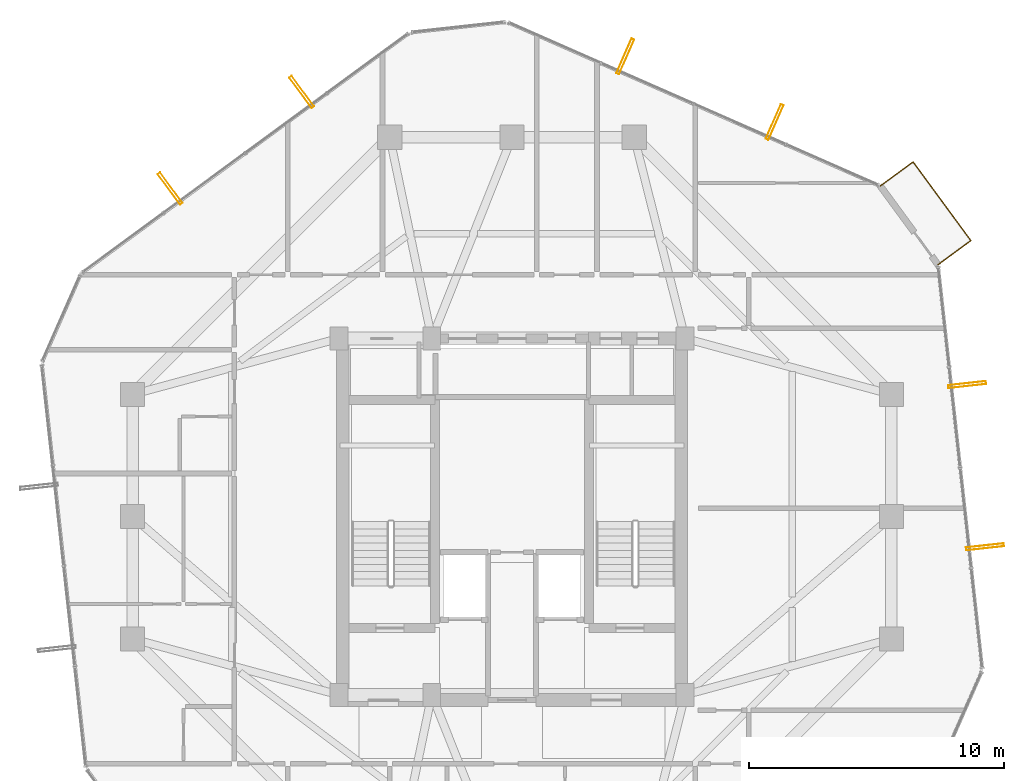
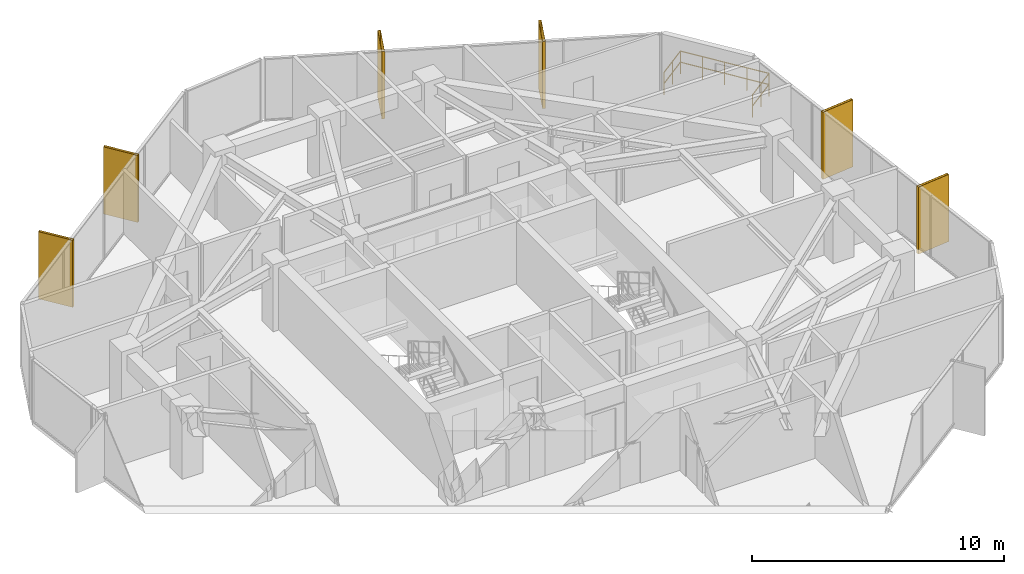
# One storey, part 32 of 32: 6 shading devices, 1 railing.
"""IFC4 building model written with IfcOpenShell, lengths in metres."""

from ifc_helpers import new_model, si_unit, direction, frame, origin, origin_2d, place, context, subcontext, project, spatial, hollow_rectangle, circle, extrude, material, material_profile, profile_set, type_object, element, save


model = new_model("IFC4")

# Units and contexts
model_context = context("Model", 3, precision=1e-05, world=origin(), true_north=direction((0.0, 1.0)))
body_context = subcontext(model_context, "Body", "Model", "MODEL_VIEW")
ifc_project = project(units=[si_unit("LENGTHUNIT", "METRE"), si_unit("AREAUNIT", "SQUARE_METRE"), si_unit("VOLUMEUNIT", "CUBIC_METRE"), si_unit("PLANEANGLEUNIT", "RADIAN"), si_unit("MASSUNIT", "GRAM", prefix="KILO")], contexts=[model_context])

# Site, building, storey
site_placement = place(None, origin())
site = spatial("IfcSite", under=ifc_project, at=site_placement, CompositionType="ELEMENT")
building_placement = place(site_placement, origin())
building = spatial("IfcBuilding", under=site, at=building_placement, Name="Veraguas Prism Commons", CompositionType="ELEMENT")
storey_placement = place(building_placement, frame((0.0, 0.0, 185.35009765625)))
storey = spatial("IfcBuildingStorey", under=building, at=storey_placement, Name="L52", CompositionType="ELEMENT", Elevation=185.35009765625)

# Shading devices
ifc_material_1 = material(Name="Anodised aluminium EN AW-6063 T6", Category="aluminium")
ifc_material_profile = material_profile(ifc_material_1, hollow_rectangle(XDim=0.1201171875, YDim=1.489990234375, WallThickness=0.006103515625, at=origin_2d()), Name="FIN120X1490X6")
ifc_profile_set = profile_set([ifc_material_profile], Name="Anodised aluminium EN AW-6063 T6")
shading_device_type = type_object("IfcShadingDeviceType", Name="Deep Pale-Metal Vertical Solar Fin 120x1490", PredefinedType="USERDEFINED", material=ifc_profile_set)
for number, where, z_axis, x_axis, name in (
    (1, (34.314697265625, 39.49365234375, -0.215087890625), (0.0, 0.0, 1.0), (-0.915381757736, 0.402586931735, 0.0), "Vertical Pale-Metal Solar Fin L52-F1A"),
    (2, (28.4482421875, 42.07373046875, -0.215087890625), (0.0, 0.0, 1.0), (-0.915381757736, 0.402586931735, 0.0), "Vertical Pale-Metal Solar Fin L52-F1B"),
    (3, (15.739501953125, 40.6796875, -0.215087890625), (0.0, 0.0, 1.0), (-0.806341388983, -0.591450390493, 0.0), "Vertical Pale-Metal Solar Fin L52-F2A"),
    (4, (10.57177734375, 36.88916015625, -0.215087890625), (0.0, 0.0, 1.0), (-0.806341388983, -0.591450390493, 0.0), "Vertical Pale-Metal Solar Fin L52-F2B"),
    (5, (42.5751953125, 22.81396484375, -0.215087890625), (0.0, 0.0, 1.0), (-0.109040368753, 0.994037322228, 0.0), "Vertical Pale-Metal Solar Fin L52-F6A"),
    (6, (41.87646484375, 29.184814453125, -0.215087890625), (0.0, 0.0, 1.0), (-0.109040368753, 0.994037322228, 0.0), "Vertical Pale-Metal Solar Fin L52-F6B"),
):
    element("IfcShadingDevice", number, at=place(storey_placement, frame(where, z_axis=z_axis, x_axis=x_axis)), inside=storey, type_object=shading_device_type, Name=name, ObjectType="FIN", PredefinedType="USERDEFINED", context=body_context, shape_type="SweptSolid", body=[
        extrude(hollow_rectangle(XDim=0.1201171875, YDim=1.489990234375, WallThickness=0.006103515625, at=origin_2d()), origin(), (0.0, 0.0, 1.0), 3.25),
    ])

# Railing
ifc_material_2 = material(Name="Stainless steel AISI 316", Category="steel")
railing_type = type_object("IfcRailingType", Name="Loggia and Sky Pool Glazed Balustrade 1120", PredefinedType="BALUSTRADE", material=ifc_material_2)
railing_placement = place(storey_placement, frame((40.731201171875, 33.89453125, 0.0)))
element("IfcRailing", 7, at=railing_placement, inside=storey, type_object=railing_type, Name="Recessed Corner Loggia L52-C1 Guard", PredefinedType="BALUSTRADE", context=body_context, shape_type="SweptSolid", body=[
    extrude(circle(Radius=0.02392578125, at=origin_2d()), frame((0.0, 0.0, 1.09619140625), z_axis=(0.80632736685, 0.591469506796, 0.0), x_axis=(-0.591469506796, 0.80632736685, 0.0)), (0.0, 0.0, 1.0), 1.599853515625),
    extrude(circle(Radius=0.02392578125, at=origin_2d()), frame((0.0, 0.0, 0.56005859375), z_axis=(0.80632736685, 0.591469506796, 0.0), x_axis=(-0.591469506796, 0.80632736685, 0.0)), (0.0, 0.0, 1.0), 1.599853515625),
    extrude(circle(Radius=0.02392578125, at=origin_2d()), frame((1.2900390625, 0.9462890625, 1.09619140625), z_axis=(-0.591449231053, 0.806342239429, 0.0), x_axis=(-0.806342239429, -0.591449231053, 0.0)), (0.0, 0.0, 1.0), 3.834228515625),
    extrude(circle(Radius=0.02392578125, at=origin_2d()), frame((1.2900390625, 0.9462890625, 0.56005859375), z_axis=(-0.591449231053, 0.806342239429, 0.0), x_axis=(-0.806342239429, -0.591449231053, 0.0)), (0.0, 0.0, 1.0), 3.834228515625),
    extrude(circle(Radius=0.02392578125, at=origin_2d()), frame((-0.977783203125, 4.0380859375, 1.09619140625), z_axis=(-0.806380741268, -0.591396736643, 0.0), x_axis=(0.591396736643, -0.806380741268, 0.0)), (0.0, 0.0, 1.0), 1.60009765625),
    extrude(circle(Radius=0.02392578125, at=origin_2d()), frame((-0.977783203125, 4.0380859375, 0.56005859375), z_axis=(-0.806380741268, -0.591396736643, 0.0), x_axis=(0.591396736643, -0.806380741268, 0.0)), (0.0, 0.0, 1.0), 1.60009765625),
    extrude(circle(Radius=0.02099609375, at=origin_2d()), origin(), (0.0, 0.0, 1.0), 1.072021484375),
    extrude(circle(Radius=0.02099609375, at=origin_2d()), frame((0.64501953125, 0.47314453125, 0.0)), (0.0, 0.0, 1.0), 1.072021484375),
    extrude(circle(Radius=0.02099609375, at=origin_2d()), frame((1.2900390625, 0.9462890625, 0.0)), (0.0, 0.0, 1.0), 1.072021484375),
    extrude(circle(Radius=0.02099609375, at=origin_2d()), frame((0.72314453125, 1.71923828125, 0.0)), (0.0, 0.0, 1.0), 1.072021484375),
    extrude(circle(Radius=0.02099609375, at=origin_2d()), frame((0.15625, 2.4921875, 0.0)), (0.0, 0.0, 1.0), 1.072021484375),
    extrude(circle(Radius=0.02099609375, at=origin_2d()), frame((-0.410888671875, 3.26513671875, 0.0)), (0.0, 0.0, 1.0), 1.072021484375),
    extrude(circle(Radius=0.02099609375, at=origin_2d()), frame((-0.977783203125, 4.0380859375, 0.0)), (0.0, 0.0, 1.0), 1.072021484375),
    extrude(circle(Radius=0.02099609375, at=origin_2d()), frame((-1.623046875, 3.56494140625, 0.0)), (0.0, 0.0, 1.0), 1.072021484375),
    extrude(circle(Radius=0.02099609375, at=origin_2d()), frame((-2.26806640625, 3.091796875, 0.0)), (0.0, 0.0, 1.0), 1.072021484375),
])

save(model, "model.ifc")
